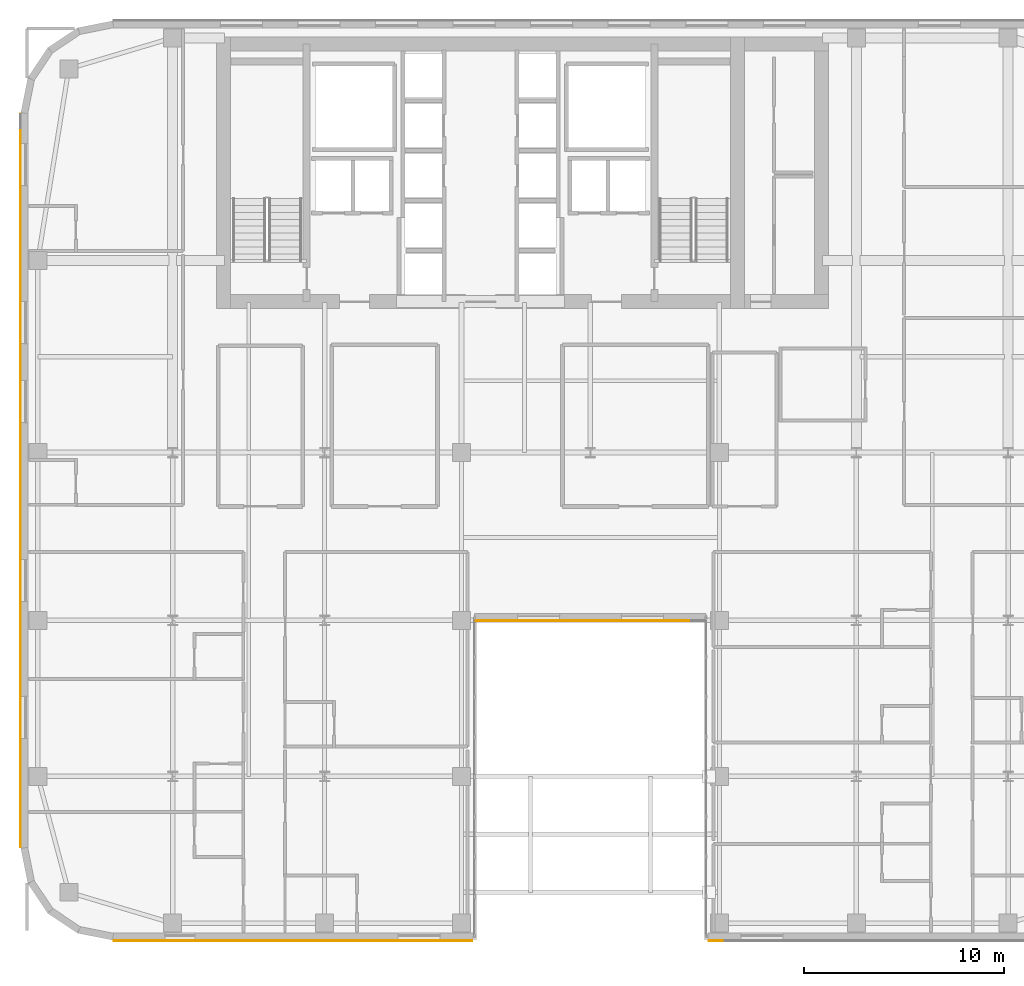
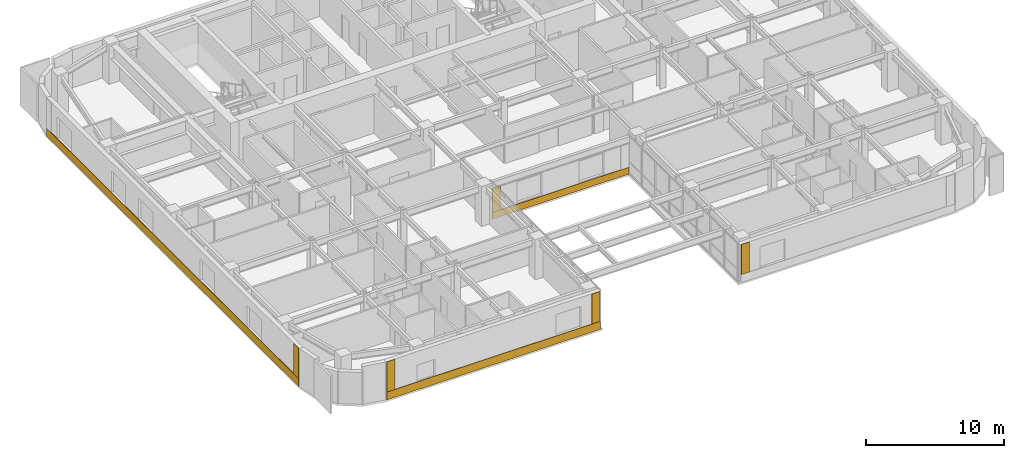
# One storey, part 20 of 24: 8 coverings.
"""IFC4 building model written with IfcOpenShell, lengths in metres."""

from ifc_helpers import new_model, si_unit, direction, frame, origin, place, context, subcontext, project, spatial, polyline, outline, extrude, material, layer, layer_set, type_object, element, save


model = new_model("IFC4")

# Units and contexts
model_context = context("Model", 3, precision=1e-05, world=origin(), true_north=direction((0.0, 1.0)))
body_context = subcontext(model_context, "Body", "Model", "MODEL_VIEW")
ifc_project = project(units=[si_unit("LENGTHUNIT", "METRE"), si_unit("AREAUNIT", "SQUARE_METRE"), si_unit("VOLUMEUNIT", "CUBIC_METRE"), si_unit("PLANEANGLEUNIT", "RADIAN"), si_unit("MASSUNIT", "GRAM", prefix="KILO")], contexts=[model_context])

# Site, building, storey
site_placement = place(None, origin())
site = spatial("IfcSite", under=ifc_project, at=site_placement, CompositionType="ELEMENT")
building_placement = place(site_placement, origin())
building = spatial("IfcBuilding", under=site, at=building_placement, Name="Tolvann Quenvar Hotel", CompositionType="ELEMENT")
storey_placement = place(building_placement, frame((0.0, 0.0, 118.64990234375)))
storey = spatial("IfcBuildingStorey", under=building, at=storey_placement, Name="L30", CompositionType="ELEMENT", Elevation=118.64990234375)

# Coverings
ifc_material_1 = material(Name="Kiln-fired red architectural face brick cladding", Category="masonry")
ifc_layer_1 = layer(ifc_material_1, 0.0400390625)
ifc_layer_set_1 = layer_set([ifc_layer_1], Name="Kiln-fired red architectural face brick cladding")
covering_type_1 = type_object("IfcCoveringType", Name="COV_CLAD_BRICK_40", PredefinedType="CLADDING", material=ifc_layer_set_1)
covering_1_placement = place(storey_placement, frame((0.0, 0.0, 0.7001953125)))
element("IfcCovering", 1, at=covering_1_placement, inside=storey, type_object=covering_type_1, Name="Brick Pier Cladding (L30-E04-P1)", PredefinedType="CLADDING", context=body_context, shape_type="SweptSolid", body=[
    extrude(outline(polyline([(4.667236328125, 0.0), (5.3671875, 0.0), (5.3671875, -0.0400390625), (4.667236328125, -0.0400390625), (4.667236328125, 0.0)])), origin(), (0.0, 0.0, 1.0), 2.669921875),
])
covering_2_placement = place(storey_placement, frame((0.0, 0.0, 0.7001953125)))
element("IfcCovering", 2, at=covering_2_placement, inside=storey, type_object=covering_type_1, Name="Brick Pier Cladding (L30-E04-P2)", PredefinedType="CLADDING", context=body_context, shape_type="SweptSolid", body=[
    extrude(outline(polyline([(21.875, 0.0), (22.574951171875, 0.0), (22.574951171875, -0.0400390625), (21.875, -0.0400390625), (21.875, 0.0)])), origin(), (0.0, 0.0, 1.0), 2.669921875),
])
covering_3_placement = place(storey_placement, frame((0.0, 0.0, 0.604736328125)))
element("IfcCovering", 3, at=covering_3_placement, inside=storey, type_object=covering_type_1, Name="Brick Pier Cladding (L30-E06-P1)", PredefinedType="CLADDING", context=body_context, shape_type="SweptSolid", body=[
    extrude(outline(polyline([(22.760009765625, 16.0), (23.4599609375, 16.0), (23.4599609375, 15.9599609375), (22.760009765625, 15.9599609375), (22.760009765625, 16.0)])), origin(), (0.0, 0.0, 1.0), 2.143310546875),
])
covering_4_placement = place(storey_placement, frame((0.0, 0.0, 0.7001953125)))
element("IfcCovering", 4, at=covering_4_placement, inside=storey, type_object=covering_type_1, Name="Brick Pier Cladding (L30-E08-P1)", PredefinedType="CLADDING", context=body_context, shape_type="SweptSolid", body=[
    extrude(outline(polyline([(34.425048828125, 0.0), (35.125, 0.0), (35.125, -0.0400390625), (34.425048828125, -0.0400390625), (34.425048828125, 0.0)])), origin(), (0.0, 0.0, 1.0), 2.669921875),
])
covering_5_placement = place(storey_placement, frame((0.0, 0.0, 0.7001953125)))
element("IfcCovering", 5, at=covering_5_placement, inside=storey, type_object=covering_type_1, Name="Brick Pier Cladding (L30-E23-P2)", PredefinedType="CLADDING", context=body_context, shape_type="SweptSolid", body=[
    extrude(outline(polyline([(0.0, 5.3671875), (0.0, 4.667236328125), (-0.0400390625, 4.667236328125), (-0.0400390625, 5.3671875), (0.0, 5.3671875)])), origin(), (0.0, 0.0, 1.0), 2.669921875),
])
ifc_material_2 = material(Name="Moulded buff architectural terracotta spandrel cladding", Category="masonry")
ifc_layer_2 = layer(ifc_material_2, 0.0400390625)
ifc_layer_set_2 = layer_set([ifc_layer_2], Name="Moulded buff architectural terracotta spandrel cladding")
covering_type_2 = type_object("IfcCoveringType", Name="COV_CLAD_TERRA_40", PredefinedType="CLADDING", material=ifc_layer_set_2)
covering_6_placement = place(storey_placement, origin())
element("IfcCovering", 6, at=covering_6_placement, inside=storey, type_object=covering_type_2, Name="Terracotta Spandrel Cladding (L30-E04)", PredefinedType="CLADDING", context=body_context, shape_type="SweptSolid", body=[
    extrude(outline(polyline([(4.6572265625, 0.0), (22.5849609375, 0.0), (22.5849609375, -0.0400390625), (4.6572265625, -0.0400390625), (4.6572265625, 0.0)])), origin(), (0.0, 0.0, 1.0), 0.7001953125),
])
covering_7_placement = place(storey_placement, origin())
element("IfcCovering", 7, at=covering_7_placement, inside=storey, type_object=covering_type_2, Name="Terracotta Spandrel Cladding (L30-E06)", PredefinedType="CLADDING", context=body_context, shape_type="SweptSolid", body=[
    extrude(outline(polyline([(22.75, 16.0), (34.25, 16.0), (34.25, 15.9599609375), (22.75, 15.9599609375), (22.75, 16.0)])), origin(), (0.0, 0.0, 1.0), 0.604736328125),
])
covering_8_placement = place(storey_placement, origin())
element("IfcCovering", 8, at=covering_8_placement, inside=storey, type_object=covering_type_2, Name="Terracotta Spandrel Cladding (L30-E23)", PredefinedType="CLADDING", context=body_context, shape_type="SweptSolid", body=[
    extrude(outline(polyline([(0.0, 41.3427734375), (0.0, 4.6572265625), (-0.0400390625, 4.6572265625), (-0.0400390625, 41.3427734375), (0.0, 41.3427734375)])), origin(), (0.0, 0.0, 1.0), 0.7001953125),
])

save(model, "model.ifc")
